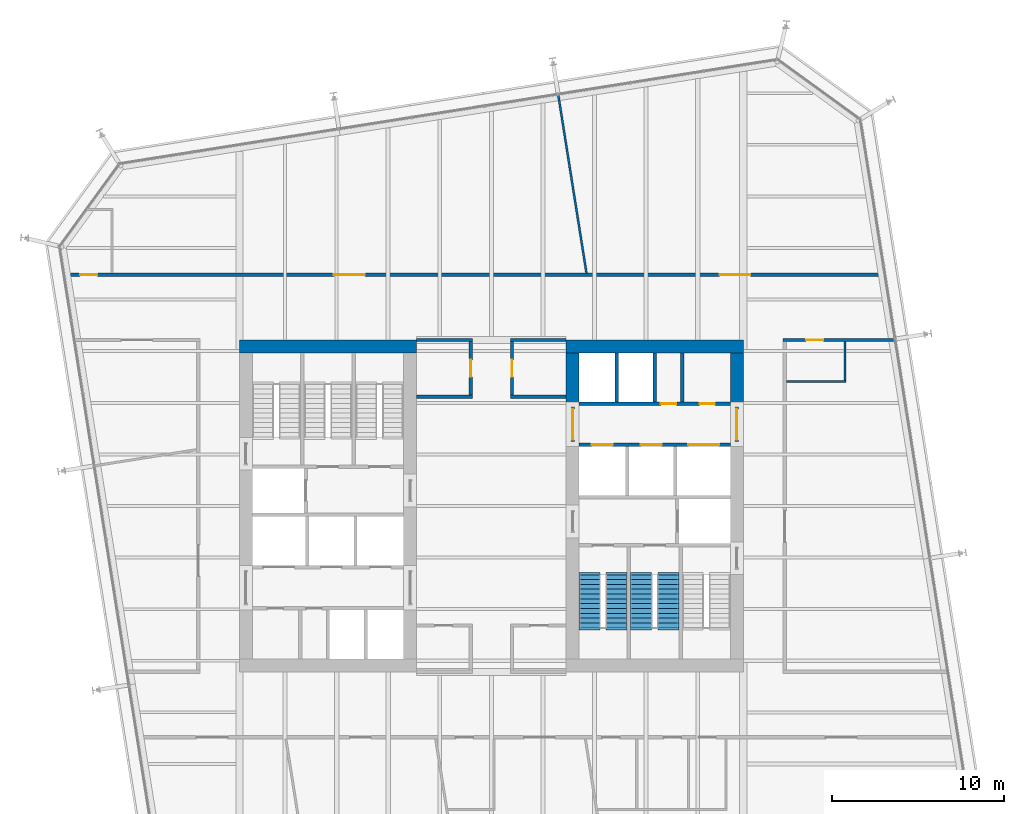
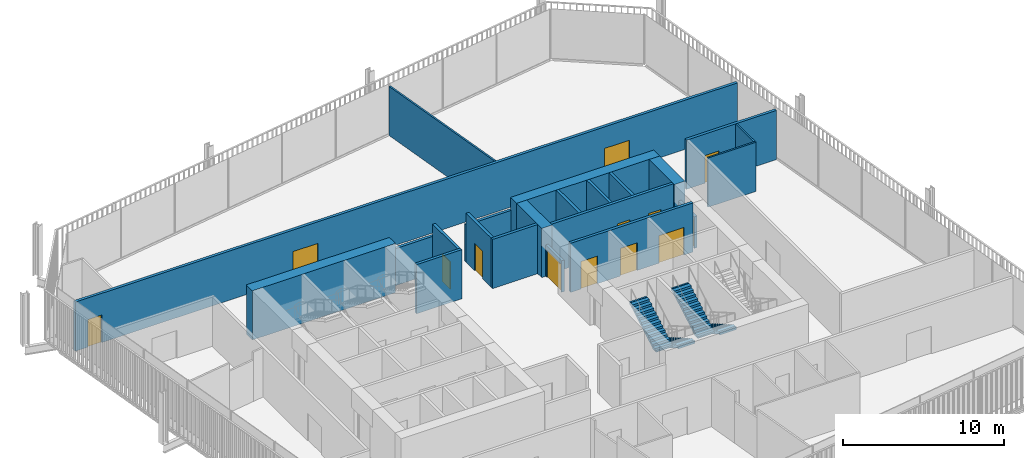
# One storey, part 19 of 21: 22 walls, 13 doors, 4 stair flights, 13 openings, 2 elements without a shape of their own.
"""IFC4 building model written with IfcOpenShell, lengths in metres."""

import ifcopenshell
import ifcopenshell.guid

model = None  # the IFC model being written
_history = None  # IfcOwnerHistory: only IFC2X3 demands one
_inside = {}  # id of a spatial element -> (the spatial element, [elements in it])
_under = {}  # id of a project, library or spatial element -> (it, [spatial elements below it])
_declared = {}  # id of a project -> (the project, [libraries it declares])
_typed = {}  # id of a type object -> (the type object, [elements of that type])
_made_of = {}  # id of a material, layer set ... -> (it, [elements and type objects made of it])


def new_model(schema):
    """Start an empty IFC model of exactly this schema.

    Asked for "IFC4X3", IfcOpenShell would pick the latest addendum, in which some entities
    have other attributes; the version numbers below select the first issue.
    IFC2X3 requires an IfcOwnerHistory on every rooted entity: one is made here for all.
    """
    global model, _history
    if schema == "IFC4X3":
        model = ifcopenshell.file(schema_version=(4, 3, 0, 0))
    else:
        model = ifcopenshell.file(schema=schema)
    _inside.clear()
    _under.clear()
    _declared.clear()
    _typed.clear()
    _made_of.clear()
    _history = None
    if model.schema == "IFC2X3":
        org = make("IfcOrganization", Name="unknown")
        user = make(
            "IfcPersonAndOrganization",
            ThePerson=make("IfcPerson", FamilyName="unknown"),
            TheOrganization=org,
        )
        app = make(
            "IfcApplication",
            ApplicationDeveloper=org,
            Version="unknown",
            ApplicationFullName="unknown",
            ApplicationIdentifier="unknown",
        )
        _history = make(
            "IfcOwnerHistory",
            OwningUser=user,
            OwningApplication=app,
            ChangeAction="ADDED",
            CreationDate=0,
        )
    return model


def make(cls, **values):
    """One entity of the class cls with the attributes given. An attribute that is None is left unset."""
    return model.create_entity(
        cls, **{name: value for name, value in values.items() if value is not None}
    )


def rooted(cls, **values):
    """An entity with a GlobalId (a new one), such as an element, a storey or a relation."""
    return make(cls, GlobalId=ifcopenshell.guid.new(), OwnerHistory=_history, **values)


def si_unit(unit_type, name, prefix=None):
    """IfcSIUnit, for example si_unit("LENGTHUNIT", "METRE", prefix="MILLI")."""
    return make("IfcSIUnit", UnitType=unit_type, Prefix=prefix, Name=name)


def assignment(units):
    """IfcUnitAssignment: the units of a project."""
    return None if units is None else make("IfcUnitAssignment", Units=units)


def point(xyz):
    """IfcCartesianPoint."""
    return None if xyz is None else make("IfcCartesianPoint", Coordinates=xyz)


def direction(xyz):
    """IfcDirection."""
    return None if xyz is None else make("IfcDirection", DirectionRatios=xyz)


def frame(location, z_axis=None, x_axis=None):
    """IfcAxis2Placement3D, a coordinate frame: its origin and axes. An axis left out is left unset."""
    return make(
        "IfcAxis2Placement3D",
        Location=point(location),
        Axis=direction(z_axis),
        RefDirection=direction(x_axis),
    )


def frame_2d(location, x_axis=None):
    """IfcAxis2Placement2D, a coordinate frame in the plane: its origin and x axis."""
    return make(
        "IfcAxis2Placement2D", Location=point(location), RefDirection=direction(x_axis)
    )


def origin():
    """The frame at (0, 0, 0) with its axes left unset."""
    return frame((0.0, 0.0, 0.0))


def place(relative_to, where):
    """IfcLocalPlacement: puts the frame where relative to a parent placement (None: the world)."""
    return make(
        "IfcLocalPlacement", PlacementRelTo=relative_to, RelativePlacement=where
    )


def context(
    kind, dimensions, precision=None, world=None, true_north=None, identifier=None
):
    """IfcGeometricRepresentationContext, for example the 3D "Model" context."""
    return make(
        "IfcGeometricRepresentationContext",
        ContextIdentifier=identifier,
        ContextType=kind,
        CoordinateSpaceDimension=dimensions,
        Precision=precision,
        WorldCoordinateSystem=world,
        TrueNorth=true_north,
    )


def subcontext(parent, identifier, kind, view, scale=None):
    """IfcGeometricRepresentationSubContext, for example "Body" below "Model"."""
    return make(
        "IfcGeometricRepresentationSubContext",
        ContextIdentifier=identifier,
        ContextType=kind,
        ParentContext=parent,
        TargetScale=scale,
        TargetView=view,
    )


def project(units=None, contexts=None):
    """IfcProject with its units and contexts."""
    return rooted(
        "IfcProject",
        Name="project",
        RepresentationContexts=contexts,
        UnitsInContext=assignment(units),
    )


def spatial(cls, under=None, at=None, **own):
    """A site, building, storey or space (cls), placed at a placement, below another one or the project."""
    s = rooted(cls, ObjectPlacement=at, **own)
    if under is not None:
        _under.setdefault(under.id(), (under, []))[1].append(s)
    return s


def polyline(points):
    """IfcPolyline through the points."""
    return make("IfcPolyline", Points=[point(p) for p in points])


def profile(cls, at=None, kind="AREA", **sizes):
    """A parametric profile (cls). Its sizes go by their IFC names, for example OverallWidth=200.0."""
    return make(cls, ProfileType=kind, Position=at, **sizes)


def rectangle(**sizes):
    """IfcRectangleProfileDef."""
    return profile("IfcRectangleProfileDef", **sizes)


def outline(outer, holes=None, kind="AREA"):
    """IfcArbitraryClosedProfileDef: a profile drawn as a closed curve; with holes, ...WithVoids."""
    if holes is None:
        return make("IfcArbitraryClosedProfileDef", ProfileType=kind, OuterCurve=outer)
    return make(
        "IfcArbitraryProfileDefWithVoids",
        ProfileType=kind,
        OuterCurve=outer,
        InnerCurves=holes,
    )


def extrude(swept, where, along, depth):
    """IfcExtrudedAreaSolid: the profile swept, set in the frame where, extruded along a direction by depth."""
    return make(
        "IfcExtrudedAreaSolid",
        SweptArea=swept,
        Position=where,
        ExtrudedDirection=direction(along),
        Depth=depth,
    )


def shape(context_of_items, identifier, shape_type, items):
    """IfcShapeRepresentation: the items that make up one representation, for example the "Body"."""
    return make(
        "IfcShapeRepresentation",
        ContextOfItems=context_of_items,
        RepresentationIdentifier=identifier,
        RepresentationType=shape_type,
        Items=items,
    )


def material(Name=None, Category=None):
    """IfcMaterial."""
    return make("IfcMaterial", Name=Name, Category=Category)


def layer(
    of_material, thickness, ventilated=None, Name=None, Category=None, Priority=None
):
    """IfcMaterialLayer: one layer of a wall or slab, of a material (None: an air gap)."""
    return make(
        "IfcMaterialLayer",
        Material=of_material,
        LayerThickness=thickness,
        IsVentilated=ventilated,
        Name=Name,
        Category=Category,
        Priority=Priority,
    )


def layer_set(layers, Name=None):
    """IfcMaterialLayerSet."""
    return make("IfcMaterialLayerSet", MaterialLayers=layers, LayerSetName=Name)


def made_of(thing, what):
    """Note that an element or type object is made of a material, layer set ...; save() writes the relation."""
    if what is not None:
        _made_of.setdefault(what.id(), (what, []))[1].append(thing)
    return thing


def type_object(cls, material=None, **own):
    """A type object (cls), such as IfcWallType, which elements share."""
    return made_of(rooted(cls, **own), material)


def element(
    cls,
    number,
    at=None,
    inside=None,
    cuts=None,
    type_object=None,
    material=None,
    context=None,
    identifier="Body",
    shape_type=None,
    held_by="IfcProductDefinitionShape",
    body=None,
    shapes=None,
    **own,
):
    """One element of the class cls, such as IfcWall. Its Tag is "e" and its number.

    at: its placement. inside: the storey or other place that contains it. cuts: it is an
    opening in that element (IfcRelVoidsElement). A single representation is given by context,
    identifier, shape_type and body (its items); several are given by shapes. held_by: the class
    of the entity that holds the representations. save() writes the other relations.
    """
    e = rooted(cls, Tag="e%d" % number, ObjectPlacement=at, **own)
    if body is not None:
        shapes = [shape(context, identifier, shape_type, body)]
    if shapes is not None:
        e.Representation = make(held_by, Representations=shapes)
    if inside is not None:
        _inside.setdefault(inside.id(), (inside, []))[1].append(e)
    if cuts is not None:
        rooted(
            "IfcRelVoidsElement", RelatingBuildingElement=cuts, RelatedOpeningElement=e
        )
    if type_object is not None:
        _typed.setdefault(type_object.id(), (type_object, []))[1].append(e)
    return made_of(e, material)


def fill(opening, filler):
    """IfcRelFillsElement: the door or window that sits in an opening."""
    return rooted(
        "IfcRelFillsElement",
        RelatingOpeningElement=opening,
        RelatedBuildingElement=filler,
    )


def aggregate(whole, parts):
    """IfcRelAggregates: a whole, such as a stair, and the parts it consists of."""
    return rooted("IfcRelAggregates", RelatingObject=whole, RelatedObjects=parts)


def save(model, path):
    """Write the relations noted so far, then the file.

    IfcRelAggregates (storeys below a building ...), IfcRelContainedInSpatialStructure (elements
    in a storey), IfcRelDefinesByType, IfcRelAssociatesMaterial and IfcRelDeclares: one each for
    every whole, place, type object, material and project.
    """
    for whole, parts in _under.values():
        aggregate(whole, parts)
    for where, things in _inside.values():
        rooted(
            "IfcRelContainedInSpatialStructure",
            RelatedElements=things,
            RelatingStructure=where,
        )
    for kind, things in _typed.values():
        rooted("IfcRelDefinesByType", RelatedObjects=things, RelatingType=kind)
    for what, things in _made_of.values():
        rooted("IfcRelAssociatesMaterial", RelatedObjects=things, RelatingMaterial=what)
    for by, libraries in _declared.values():
        rooted("IfcRelDeclares", RelatingContext=by, RelatedDefinitions=libraries)
    model.write(path)


model = new_model("IFC4")

# Units and contexts
model_context = context("Model", 3, precision=1e-05, world=origin(), true_north=direction((0.0, 1.0)))
body_context = subcontext(model_context, "Body", "Model", "MODEL_VIEW")
ifc_project = project(units=[si_unit("LENGTHUNIT", "METRE"), si_unit("AREAUNIT", "SQUARE_METRE"), si_unit("VOLUMEUNIT", "CUBIC_METRE"), si_unit("PLANEANGLEUNIT", "RADIAN"), si_unit("MASSUNIT", "GRAM", prefix="KILO")], contexts=[model_context])

# Site, building, storey
site_placement = place(None, origin())
site = spatial("IfcSite", under=ifc_project, at=site_placement, CompositionType="ELEMENT")
building_placement = place(site_placement, origin())
building = spatial("IfcBuilding", under=site, at=building_placement, Name="Millrace Tower", CompositionType="ELEMENT")
storey_placement = place(building_placement, frame((0.0, 0.0, 141.199951171875)))
storey = spatial("IfcBuildingStorey", under=building, at=storey_placement, Name="L31", CompositionType="ELEMENT", Elevation=141.199951171875)

# Walls
ifc_material_1 = material(Name="Concrete C70", Category="concrete")
ifc_layer_1 = layer(ifc_material_1, 0.75)
ifc_layer_set_1 = layer_set([ifc_layer_1], Name="Concrete C70")
wall_type_1 = type_object("IfcWallType", Name="Core wall 750 Concrete C70", PredefinedType="SHEAR", material=ifc_layer_set_1)
for number, where, z_axis, x_axis, name in (
    (1, (-14.64990234375, 9.27490234375, 0.0), (0.0, 0.0, 1.0), (1.0, 0.0, 0.0), "Core wall W L31"),
    (2, (14.64990234375, 9.27490234375, 0.0), (0.0, 0.0, 1.0), (-1.0, 0.0, 0.0), "Core wall E L31"),
):
    element("IfcWall", number, at=place(storey_placement, frame(where, z_axis=z_axis, x_axis=x_axis)), inside=storey, type_object=wall_type_1, Name=name, PredefinedType="SHEAR", context=body_context, shape_type="SweptSolid", body=[
        extrude(rectangle(XDim=10.2998046875, YDim=0.75, at=frame_2d((5.14990234375, 0.0))), origin(), (0.0, 0.0, 1.0), 3.739990234375),
    ])
for number, where, z_axis, x_axis, name in (
    (3, (14.27490234375, 8.89990234375, 0.0), (0.0, 0.0, 1.0), (0.0, -1.0, 0.0), "Core wall E L31"),
    (4, (4.72509765625, 8.89990234375, 0.0), (0.0, 0.0, 1.0), (0.0, -1.0, 0.0), "Core wall E L31"),
):
    element("IfcWall", number, at=place(storey_placement, frame(where, z_axis=z_axis, x_axis=x_axis)), inside=storey, type_object=wall_type_1, Name=name, PredefinedType="SHEAR", context=body_context, shape_type="SweptSolid", body=[
        extrude(rectangle(XDim=3.14990234375, YDim=0.75, at=frame_2d((1.574951171875, 0.0))), origin(), (0.0, 0.0, 1.0), 3.739990234375),
    ])
ifc_material_2 = material(Name="Masonry partition, fire-rated", Category="masonry")
ifc_layer_2 = layer(ifc_material_2, 0.199951171875)
ifc_layer_set_2 = layer_set([ifc_layer_2], Name="Masonry partition, fire-rated")
wall_type_2 = type_object("IfcWallType", Name="Corridor wall 200", PredefinedType="PARTITIONING", material=ifc_layer_set_2)
for number, where, z_axis, x_axis, name in (
    (5, (-4.35009765625, 6.35009765625, 0.0), (0.0, 0.0, 1.0), (1.0, 0.0, 0.0), "Corridor wall L31"),
    (6, (1.10009765625, 6.35009765625, 0.0), (0.0, 0.0, 1.0), (1.0, 0.0, 0.0), "Corridor wall L31"),
):
    element("IfcWall", number, at=place(storey_placement, frame(where, z_axis=z_axis, x_axis=x_axis)), inside=storey, type_object=wall_type_2, Name=name, PredefinedType="PARTITIONING", context=body_context, shape_type="SweptSolid", body=[
        extrude(rectangle(XDim=3.25, YDim=0.199951171875, at=frame_2d((1.625, 0.0))), origin(), (0.0, 0.0, 1.0), 3.739990234375),
    ])
for number, where, z_axis, x_axis, name in (
    (7, (-4.35009765625, 9.64990234375, 0.0), (0.0, 0.0, 1.0), (1.0, 0.0, 0.0), "Corridor wall L31"),
    (8, (1.10009765625, 9.64990234375, 0.0), (0.0, 0.0, 1.0), (1.0, 0.0, 0.0), "Corridor wall L31"),
):
    element("IfcWall", number, at=place(storey_placement, frame(where, z_axis=z_axis, x_axis=x_axis)), inside=storey, type_object=wall_type_2, Name=name, PredefinedType="PARTITIONING", context=body_context, shape_type="SweptSolid", body=[
        extrude(rectangle(XDim=3.25, YDim=0.199951171875, at=frame_2d((1.625, 0.0))), origin(), (0.0, 0.0, 1.0), 2.81298828125),
    ])

# Wall, opening, door
wall_1_placement = place(storey_placement, frame((16.949951171875, 9.64990234375, 0.0), z_axis=(0.0, 0.0, 1.0), x_axis=(1.0, 0.0, 0.0)))
wall_1 = element("IfcWall", 9, at=wall_1_placement, inside=storey, type_object=wall_type_2, Name="Corridor wall L31", PredefinedType="PARTITIONING", context=body_context, shape_type="SweptSolid", body=[
    extrude(rectangle(XDim=6.489501953125, YDim=0.199951171875, at=frame_2d((3.24462890625, 0.0))), origin(), (0.0, 0.0, 1.0), 3.739990234375),
])
opening_1_placement = place(wall_1_placement, frame((1.35009765625, 0.0, 0.0)))
opening_1 = element("IfcOpeningElement", 10, at=opening_1_placement, cuts=wall_1, Name="Opening 31-P009", PredefinedType="OPENING", context=body_context, shape_type="SweptSolid", body=[
    extrude(rectangle(XDim=1.0, YDim=2.10009765625, at=frame_2d((0.5, 1.050048828125))), frame((0.0, 0.10986328125, 0.0), z_axis=(0.0, -1.0, 0.0), x_axis=(1.0, 0.0, 0.0)), (0.0, 0.0, 1.0), 0.219970703125),
])
ifc_material_3 = material(Name="Steel door set, fire-rated", Category="steel")
door_type_1 = type_object("IfcDoorType", Name="Corridor door 1000 x 2100", OperationType="SINGLE_SWING_LEFT", PredefinedType="DOOR", material=ifc_material_3)
door_1_placement = place(opening_1_placement, frame((1.0, 0.0, 0.0), z_axis=(0.0, 0.0, 1.0), x_axis=(-1.0, 0.0, 0.0)))
door_1 = element("IfcDoor", 11, at=door_1_placement, inside=storey, type_object=door_type_1, Name="Door 31-P009", OperationType="SINGLE_SWING_RIGHT", OverallHeight=2.10009765625, OverallWidth=1.0, PredefinedType="DOOR", context=body_context, shape_type="SweptSolid", body=[
    extrude(rectangle(XDim=1.0, YDim=2.10009765625, at=frame_2d((0.5, 1.050048828125))), frame((0.0, 0.02490234375, 0.0), z_axis=(0.0, -1.0, 0.0), x_axis=(1.0, 0.0, 0.0)), (0.0, 0.0, 1.0), 0.050048828125),
])
fill(opening_1, door_1)

# Wall, openings, doors
wall_2_placement = place(storey_placement, frame((-24.80908203125, 13.449951171875, 0.0), z_axis=(0.0, 0.0, 1.0), x_axis=(1.0, 0.0, 0.0)))
wall_2 = element("IfcWall", 12, at=wall_2_placement, inside=storey, type_object=wall_type_2, Name="Corridor wall L31", PredefinedType="PARTITIONING", context=body_context, shape_type="SweptSolid", body=[
    extrude(rectangle(XDim=47.646728515625, YDim=0.199951171875, at=frame_2d((23.8232421875, 0.0))), origin(), (0.0, 0.0, 1.0), 3.739990234375),
])
opening_2_placement = place(wall_2_placement, frame((15.652587890625, 0.0, 0.0)))
opening_2 = element("IfcOpeningElement", 13, at=opening_2_placement, cuts=wall_2, Name="Opening 31-P005", PredefinedType="OPENING", context=body_context, shape_type="SweptSolid", body=[
    extrude(rectangle(XDim=1.800048828125, YDim=2.10009765625, at=frame_2d((0.89990234375, 1.050048828125))), frame((0.0, 0.10986328125, 0.0), z_axis=(0.0, -1.0, 0.0), x_axis=(1.0, 0.0, 0.0)), (0.0, 0.0, 1.0), 0.219970703125),
])
opening_3_placement = place(wall_2_placement, frame((0.901123046875, 0.0, 0.0)))
opening_3 = element("IfcOpeningElement", 14, at=opening_3_placement, cuts=wall_2, Name="Opening 31-P006", PredefinedType="OPENING", context=body_context, shape_type="SweptSolid", body=[
    extrude(rectangle(XDim=1.0, YDim=2.10009765625, at=frame_2d((0.5, 1.050048828125))), frame((0.0, 0.10986328125, 0.0), z_axis=(0.0, -1.0, 0.0), x_axis=(1.0, 0.0, 0.0)), (0.0, 0.0, 1.0), 0.219970703125),
])
opening_4_placement = place(wall_2_placement, frame((38.074951171875, 0.0, 0.0)))
opening_4 = element("IfcOpeningElement", 15, at=opening_4_placement, cuts=wall_2, Name="Opening 31-P007", PredefinedType="OPENING", context=body_context, shape_type="SweptSolid", body=[
    extrude(rectangle(XDim=1.800048828125, YDim=2.10009765625, at=frame_2d((0.89990234375, 1.050048828125))), frame((0.0, 0.10986328125, 0.0), z_axis=(0.0, -1.0, 0.0), x_axis=(1.0, 0.0, 0.0)), (0.0, 0.0, 1.0), 0.219970703125),
])
door_2_placement = place(opening_3_placement, origin())
door_2 = element("IfcDoor", 16, at=door_2_placement, inside=storey, type_object=door_type_1, Name="Door 31-P006", OperationType="SINGLE_SWING_LEFT", OverallHeight=2.10009765625, OverallWidth=1.0, PredefinedType="DOOR", context=body_context, shape_type="SweptSolid", body=[
    extrude(rectangle(XDim=1.0, YDim=2.10009765625, at=frame_2d((0.5, 1.050048828125))), frame((0.0, 0.02490234375, 0.0), z_axis=(0.0, -1.0, 0.0), x_axis=(1.0, 0.0, 0.0)), (0.0, 0.0, 1.0), 0.050048828125),
])
fill(opening_3, door_2)
ifc_material_4 = material(Name="Steel door set, fire-rated", Category="steel")
door_type_2 = type_object("IfcDoorType", Name="Corridor door 1800 x 2100", OperationType="DOUBLE_DOOR_SINGLE_SWING", PredefinedType="DOOR", material=ifc_material_4)
door_3_placement = place(opening_2_placement, frame((1.800048828125, 0.0, 0.0), z_axis=(0.0, 0.0, 1.0), x_axis=(-1.0, 0.0, 0.0)))
door_3 = element("IfcDoor", 17, at=door_3_placement, inside=storey, type_object=door_type_2, Name="Door 31-P005", OperationType="DOUBLE_DOOR_SINGLE_SWING", OverallHeight=2.10009765625, OverallWidth=1.800048828125, PredefinedType="DOOR", context=body_context, shape_type="SweptSolid", body=[
    extrude(rectangle(XDim=1.800048828125, YDim=2.10009765625, at=frame_2d((0.89990234375, 1.050048828125))), frame((0.0, 0.02490234375, 0.0), z_axis=(0.0, -1.0, 0.0), x_axis=(1.0, 0.0, 0.0)), (0.0, 0.0, 1.0), 0.050048828125),
])
fill(opening_2, door_3)
door_4_placement = place(opening_4_placement, frame((1.800048828125, 0.0, 0.0), z_axis=(0.0, 0.0, 1.0), x_axis=(-1.0, 0.0, 0.0)))
door_4 = element("IfcDoor", 18, at=door_4_placement, inside=storey, type_object=door_type_2, Name="Door 31-P007", OperationType="DOUBLE_DOOR_SINGLE_SWING", OverallHeight=2.10009765625, OverallWidth=1.800048828125, PredefinedType="DOOR", context=body_context, shape_type="SweptSolid", body=[
    extrude(rectangle(XDim=1.800048828125, YDim=2.10009765625, at=frame_2d((0.89990234375, 1.050048828125))), frame((0.0, 0.02490234375, 0.0), z_axis=(0.0, -1.0, 0.0), x_axis=(1.0, 0.0, 0.0)), (0.0, 0.0, 1.0), 0.050048828125),
])
fill(opening_4, door_4)

# Wall, opening, door
wall_3_placement = place(storey_placement, frame((1.199951171875, 6.449951171875, 0.0), z_axis=(0.0, 0.0, 1.0), x_axis=(0.0, 1.0, 0.0)))
wall_3 = element("IfcWall", 19, at=wall_3_placement, inside=storey, type_object=wall_type_2, Name="Corridor wall L31", PredefinedType="PARTITIONING", context=body_context, shape_type="SweptSolid", body=[
    extrude(rectangle(XDim=3.10009765625, YDim=0.199951171875, at=frame_2d((1.550048828125, 0.0))), origin(), (0.0, 0.0, 1.0), 3.739990234375),
])
opening_5_placement = place(wall_3_placement, frame((1.050048828125, 0.0, 0.0)))
opening_5 = element("IfcOpeningElement", 20, at=opening_5_placement, cuts=wall_3, Name="Opening 31-P002", PredefinedType="OPENING", context=body_context, shape_type="SweptSolid", body=[
    extrude(rectangle(XDim=1.0, YDim=2.10009765625, at=frame_2d((0.5, 1.050048828125))), frame((0.0, 0.10986328125, 0.0), z_axis=(0.0, -1.0, 0.0), x_axis=(1.0, 0.0, 0.0)), (0.0, 0.0, 1.0), 0.219970703125),
])
door_5_placement = place(opening_5_placement, frame((1.0, 0.0, 0.0), z_axis=(0.0, 0.0, 1.0), x_axis=(-1.0, 0.0, 0.0)))
door_5 = element("IfcDoor", 21, at=door_5_placement, inside=storey, type_object=door_type_1, Name="Door 31-P002", OperationType="SINGLE_SWING_LEFT", OverallHeight=2.10009765625, OverallWidth=1.0, PredefinedType="DOOR", context=body_context, shape_type="SweptSolid", body=[
    extrude(rectangle(XDim=1.0, YDim=2.10009765625, at=frame_2d((0.5, 1.050048828125))), frame((0.0, 0.02490234375, 0.0), z_axis=(0.0, -1.0, 0.0), x_axis=(1.0, 0.0, 0.0)), (0.0, 0.0, 1.0), 0.050048828125),
])
fill(opening_5, door_5)

wall_4_placement = place(storey_placement, frame((-1.199951171875, 6.449951171875, 0.0), z_axis=(0.0, 0.0, 1.0), x_axis=(0.0, 1.0, 0.0)))
wall_4 = element("IfcWall", 22, at=wall_4_placement, inside=storey, type_object=wall_type_2, Name="Corridor wall L31", PredefinedType="PARTITIONING", context=body_context, shape_type="SweptSolid", body=[
    extrude(rectangle(XDim=3.10009765625, YDim=0.199951171875, at=frame_2d((1.550048828125, 0.0))), origin(), (0.0, 0.0, 1.0), 3.739990234375),
])
opening_6_placement = place(wall_4_placement, frame((1.050048828125, 0.0, 0.0)))
opening_6 = element("IfcOpeningElement", 23, at=opening_6_placement, cuts=wall_4, Name="Opening 31-P001", PredefinedType="OPENING", context=body_context, shape_type="SweptSolid", body=[
    extrude(rectangle(XDim=1.0, YDim=2.10009765625, at=frame_2d((0.5, 1.050048828125))), frame((0.0, 0.10986328125, 0.0), z_axis=(0.0, -1.0, 0.0), x_axis=(1.0, 0.0, 0.0)), (0.0, 0.0, 1.0), 0.219970703125),
])
door_6_placement = place(opening_6_placement, origin())
door_6 = element("IfcDoor", 24, at=door_6_placement, inside=storey, type_object=door_type_1, Name="Door 31-P001", OperationType="SINGLE_SWING_RIGHT", OverallHeight=2.10009765625, OverallWidth=1.0, PredefinedType="DOOR", context=body_context, shape_type="SweptSolid", body=[
    extrude(rectangle(XDim=1.0, YDim=2.10009765625, at=frame_2d((0.5, 1.050048828125))), frame((0.0, 0.02490234375, 0.0), z_axis=(0.0, -1.0, 0.0), x_axis=(1.0, 0.0, 0.0)), (0.0, 0.0, 1.0), 0.050048828125),
])
fill(opening_6, door_6)

# Wall, openings, doors
ifc_material_5 = material(Name="Masonry partition, fire-rated", Category="masonry")
ifc_layer_3 = layer(ifc_material_5, 0.199951171875)
ifc_layer_set_3 = layer_set([ifc_layer_3], Name="Masonry partition, fire-rated")
wall_type_3 = type_object("IfcWallType", Name="Lift shaft wall 200", PredefinedType="PARTITIONING", material=ifc_layer_set_3)
wall_5_placement = place(storey_placement, frame((13.89990234375, 5.949951171875, 0.0), z_axis=(0.0, 0.0, 1.0), x_axis=(-1.0, 0.0, 0.0)))
wall_5 = element("IfcWall", 25, at=wall_5_placement, inside=storey, type_object=wall_type_3, Name="Lift shaft wall E L31", PredefinedType="PARTITIONING", context=body_context, shape_type="SweptSolid", body=[
    extrude(rectangle(XDim=8.7998046875, YDim=0.199951171875, at=frame_2d((4.39990234375, 0.0))), origin(), (0.0, 0.0, 1.0), 3.739990234375),
])
opening_7_placement = place(wall_5_placement, frame((0.8974609375, 0.0, 0.0)))
opening_7 = element("IfcOpeningElement", 26, at=opening_7_placement, cuts=wall_5, Name="Opening 31-C013", PredefinedType="OPENING", context=body_context, shape_type="SweptSolid", body=[
    extrude(rectangle(XDim=0.89990234375, YDim=2.10009765625, at=frame_2d((0.449951171875, 1.050048828125))), frame((0.0, 0.10986328125, 0.0), z_axis=(0.0, -1.0, 0.0), x_axis=(1.0, 0.0, 0.0)), (0.0, 0.0, 1.0), 0.219970703125),
])
opening_8_placement = place(wall_5_placement, frame((3.1474609375, 0.0, 0.0)))
opening_8 = element("IfcOpeningElement", 27, at=opening_8_placement, cuts=wall_5, Name="Opening 31-C014", PredefinedType="OPENING", context=body_context, shape_type="SweptSolid", body=[
    extrude(rectangle(XDim=0.89990234375, YDim=2.10009765625, at=frame_2d((0.449951171875, 1.050048828125))), frame((0.0, 0.10986328125, 0.0), z_axis=(0.0, -1.0, 0.0), x_axis=(1.0, 0.0, 0.0)), (0.0, 0.0, 1.0), 0.219970703125),
])
ifc_material_6 = material(Name="Steel door, fire-rated", Category="steel")
door_type_3 = type_object("IfcDoorType", Name="Service room door 900 x 2100", OperationType="SINGLE_SWING_LEFT", PredefinedType="DOOR", material=ifc_material_6)
door_7_placement = place(opening_7_placement, frame((0.89990234375, 0.0, 0.0), z_axis=(0.0, 0.0, 1.0), x_axis=(-1.0, 0.0, 0.0)))
door_7 = element("IfcDoor", 28, at=door_7_placement, inside=storey, type_object=door_type_3, Name="Service room door 31-C013", OperationType="SINGLE_SWING_RIGHT", OverallHeight=2.10009765625, OverallWidth=0.89990234375, PredefinedType="DOOR", context=body_context, shape_type="SweptSolid", body=[
    extrude(rectangle(XDim=0.89990234375, YDim=2.10009765625, at=frame_2d((0.449951171875, 1.050048828125))), frame((0.0, 0.02490234375, 0.0), z_axis=(0.0, -1.0, 0.0), x_axis=(1.0, 0.0, 0.0)), (0.0, 0.0, 1.0), 0.050048828125),
])
fill(opening_7, door_7)
door_8_placement = place(opening_8_placement, frame((0.89990234375, 0.0, 0.0), z_axis=(0.0, 0.0, 1.0), x_axis=(-1.0, 0.0, 0.0)))
door_8 = element("IfcDoor", 29, at=door_8_placement, inside=storey, type_object=door_type_3, Name="Service room door 31-C014", OperationType="SINGLE_SWING_RIGHT", OverallHeight=2.10009765625, OverallWidth=0.89990234375, PredefinedType="DOOR", context=body_context, shape_type="SweptSolid", body=[
    extrude(rectangle(XDim=0.89990234375, YDim=2.10009765625, at=frame_2d((0.449951171875, 1.050048828125))), frame((0.0, 0.02490234375, 0.0), z_axis=(0.0, -1.0, 0.0), x_axis=(1.0, 0.0, 0.0)), (0.0, 0.0, 1.0), 0.050048828125),
])
fill(opening_8, door_8)

wall_6_placement = place(storey_placement, frame((13.89990234375, 3.550048828125, 0.0), z_axis=(0.0, 0.0, 1.0), x_axis=(-1.0, 0.0, 0.0)))
wall_6 = element("IfcWall", 30, at=wall_6_placement, inside=storey, type_object=wall_type_3, Name="Lift shaft wall E L31", PredefinedType="PARTITIONING", context=body_context, shape_type="SweptSolid", body=[
    extrude(rectangle(XDim=8.7998046875, YDim=0.199951171875, at=frame_2d((4.39990234375, 0.0))), origin(), (0.0, 0.0, 1.0), 3.739990234375),
])
opening_9_placement = place(wall_6_placement, frame((0.64990234375, 0.0, 0.0)))
opening_9 = element("IfcOpeningElement", 31, at=opening_9_placement, cuts=wall_6, Name="Opening 31-LD13", PredefinedType="OPENING", context=body_context, shape_type="SweptSolid", body=[
    extrude(rectangle(XDim=1.800048828125, YDim=2.10009765625, at=frame_2d((0.89990234375, 1.050048828125))), frame((0.0, 0.10986328125, 0.0), z_axis=(0.0, -1.0, 0.0), x_axis=(1.0, 0.0, 0.0)), (0.0, 0.0, 1.0), 0.219970703125),
])
opening_10_placement = place(wall_6_placement, frame((4.0, 0.0, 0.0)))
opening_10 = element("IfcOpeningElement", 32, at=opening_10_placement, cuts=wall_6, Name="Opening 31-LD14", PredefinedType="OPENING", context=body_context, shape_type="SweptSolid", body=[
    extrude(rectangle(XDim=1.199951171875, YDim=2.10009765625, at=frame_2d((0.60009765625, 1.050048828125))), frame((0.0, 0.10986328125, 0.0), z_axis=(0.0, -1.0, 0.0), x_axis=(1.0, 0.0, 0.0)), (0.0, 0.0, 1.0), 0.219970703125),
])
opening_11_placement = place(wall_6_placement, frame((6.85009765625, 0.0, 0.0)))
opening_11 = element("IfcOpeningElement", 33, at=opening_11_placement, cuts=wall_6, Name="Opening 31-LD15", PredefinedType="OPENING", context=body_context, shape_type="SweptSolid", body=[
    extrude(rectangle(XDim=1.199951171875, YDim=2.10009765625, at=frame_2d((0.60009765625, 1.050048828125))), frame((0.0, 0.10986328125, 0.0), z_axis=(0.0, -1.0, 0.0), x_axis=(1.0, 0.0, 0.0)), (0.0, 0.0, 1.0), 0.219970703125),
])
ifc_material_7 = material(Name="Stainless steel, fire-rated", Category="steel")
door_type_4 = type_object("IfcDoorType", Name="Lift landing door 1200 x 2100", OperationType="DOUBLE_DOOR_SLIDING", PredefinedType="DOOR", material=ifc_material_7)
door_9_placement = place(opening_10_placement, origin())
door_9 = element("IfcDoor", 34, at=door_9_placement, inside=storey, type_object=door_type_4, Name="Lift landing door LF14 L31", OperationType="DOUBLE_DOOR_SLIDING", OverallHeight=2.10009765625, OverallWidth=1.199951171875, PredefinedType="DOOR", context=body_context, shape_type="SweptSolid", body=[
    extrude(rectangle(XDim=1.199951171875, YDim=2.10009765625, at=frame_2d((0.60009765625, 1.050048828125))), frame((0.0, 0.02490234375, 0.0), z_axis=(0.0, -1.0, 0.0), x_axis=(1.0, 0.0, 0.0)), (0.0, 0.0, 1.0), 0.050048828125),
])
fill(opening_10, door_9)
door_10_placement = place(opening_11_placement, origin())
door_10 = element("IfcDoor", 35, at=door_10_placement, inside=storey, type_object=door_type_4, Name="Lift landing door LF15 L31", OperationType="DOUBLE_DOOR_SLIDING", OverallHeight=2.10009765625, OverallWidth=1.199951171875, PredefinedType="DOOR", context=body_context, shape_type="SweptSolid", body=[
    extrude(rectangle(XDim=1.199951171875, YDim=2.10009765625, at=frame_2d((0.60009765625, 1.050048828125))), frame((0.0, 0.02490234375, 0.0), z_axis=(0.0, -1.0, 0.0), x_axis=(1.0, 0.0, 0.0)), (0.0, 0.0, 1.0), 0.050048828125),
])
fill(opening_11, door_10)
ifc_material_8 = material(Name="Stainless steel, fire-rated", Category="steel")
door_type_5 = type_object("IfcDoorType", Name="Lift landing door 1800 x 2100", OperationType="DOUBLE_DOOR_SLIDING", PredefinedType="DOOR", material=ifc_material_8)
door_11_placement = place(opening_9_placement, origin())
door_11 = element("IfcDoor", 36, at=door_11_placement, inside=storey, type_object=door_type_5, Name="Lift landing door LF13 L31", OperationType="DOUBLE_DOOR_SLIDING", OverallHeight=2.10009765625, OverallWidth=1.800048828125, PredefinedType="DOOR", context=body_context, shape_type="SweptSolid", body=[
    extrude(rectangle(XDim=1.800048828125, YDim=2.10009765625, at=frame_2d((0.89990234375, 1.050048828125))), frame((0.0, 0.02490234375, 0.0), z_axis=(0.0, -1.0, 0.0), x_axis=(1.0, 0.0, 0.0)), (0.0, 0.0, 1.0), 0.050048828125),
])
fill(opening_9, door_11)

# Walls
for number, where, z_axis, x_axis, name in (
    (37, (9.5, 8.89990234375, 0.0), (0.0, 0.0, 1.0), (0.0, -1.0, 0.0), "Lift shaft wall E L31"),
    (38, (7.300048828125, 8.89990234375, 0.0), (0.0, 0.0, 1.0), (0.0, -1.0, 0.0), "Lift shaft wall E L31"),
):
    element("IfcWall", number, at=place(storey_placement, frame(where, z_axis=z_axis, x_axis=x_axis)), inside=storey, type_object=wall_type_3, Name=name, PredefinedType="PARTITIONING", context=body_context, shape_type="SweptSolid", body=[
        extrude(rectangle(XDim=2.849853515625, YDim=0.199951171875, at=frame_2d((1.4248046875, 0.0))), origin(), (0.0, 0.0, 1.0), 3.739990234375),
    ])

# Wall, opening, door
ifc_material_9 = material(Name="Masonry partition, fire-rated", Category="masonry")
ifc_layer_4 = layer(ifc_material_9, 0.199951171875)
ifc_layer_set_4 = layer_set([ifc_layer_4], Name="Masonry partition, fire-rated")
wall_type_4 = type_object("IfcWallType", Name="Lobby wall 200", PredefinedType="PARTITIONING", material=ifc_layer_set_4)
wall_7_placement = place(storey_placement, frame((14.27490234375, 5.75, 0.0), z_axis=(0.0, 0.0, 1.0), x_axis=(0.0, -1.0, 0.0)))
wall_7 = element("IfcWall", 39, at=wall_7_placement, inside=storey, type_object=wall_type_4, Name="Lobby wall E L31", PredefinedType="PARTITIONING", context=body_context, shape_type="SweptSolid", body=[
    extrude(rectangle(XDim=2.0, YDim=0.199951171875, at=frame_2d((1.0, 0.0))), origin(), (0.0, 0.0, 1.0), 2.400146484375),
])
opening_12_placement = place(wall_7_placement, frame((0.10009765625, 0.0, 0.0)))
opening_12 = element("IfcOpeningElement", 40, at=opening_12_placement, cuts=wall_7, Name="Opening 31-C009", PredefinedType="OPENING", context=body_context, shape_type="SweptSolid", body=[
    extrude(rectangle(XDim=1.800048828125, YDim=2.10009765625, at=frame_2d((0.89990234375, 1.050048828125))), frame((0.0, 0.10986328125, 0.0), z_axis=(0.0, -1.0, 0.0), x_axis=(1.0, 0.0, 0.0)), (0.0, 0.0, 1.0), 0.219970703125),
])
ifc_material_10 = material(Name="Steel door, fire-rated", Category="steel")
door_type_6 = type_object("IfcDoorType", Name="Lobby door 1800 x 2100", OperationType="DOUBLE_DOOR_SINGLE_SWING", PredefinedType="DOOR", material=ifc_material_10)
door_12_placement = place(opening_12_placement, origin())
door_12 = element("IfcDoor", 41, at=door_12_placement, inside=storey, type_object=door_type_6, Name="Lobby door 31-C009", OperationType="DOUBLE_DOOR_SINGLE_SWING", OverallHeight=2.10009765625, OverallWidth=1.800048828125, PredefinedType="DOOR", context=body_context, shape_type="SweptSolid", body=[
    extrude(rectangle(XDim=1.800048828125, YDim=2.10009765625, at=frame_2d((0.89990234375, 1.050048828125))), frame((0.0, 0.02490234375, 0.0), z_axis=(0.0, -1.0, 0.0), x_axis=(1.0, 0.0, 0.0)), (0.0, 0.0, 1.0), 0.050048828125),
])
fill(opening_12, door_12)

wall_8_placement = place(storey_placement, frame((4.72509765625, 5.75, 0.0), z_axis=(0.0, 0.0, 1.0), x_axis=(0.0, -1.0, 0.0)))
wall_8 = element("IfcWall", 42, at=wall_8_placement, inside=storey, type_object=wall_type_4, Name="Lobby wall E L31", PredefinedType="PARTITIONING", context=body_context, shape_type="SweptSolid", body=[
    extrude(rectangle(XDim=2.0, YDim=0.199951171875, at=frame_2d((1.0, 0.0))), origin(), (0.0, 0.0, 1.0), 2.400146484375),
])
opening_13_placement = place(wall_8_placement, frame((0.10009765625, 0.0, 0.0)))
opening_13 = element("IfcOpeningElement", 43, at=opening_13_placement, cuts=wall_8, Name="Opening 31-C011", PredefinedType="OPENING", context=body_context, shape_type="SweptSolid", body=[
    extrude(rectangle(XDim=1.800048828125, YDim=2.10009765625, at=frame_2d((0.89990234375, 1.050048828125))), frame((0.0, 0.10986328125, 0.0), z_axis=(0.0, -1.0, 0.0), x_axis=(1.0, 0.0, 0.0)), (0.0, 0.0, 1.0), 0.219970703125),
])
door_13_placement = place(opening_13_placement, origin())
door_13 = element("IfcDoor", 44, at=door_13_placement, inside=storey, type_object=door_type_6, Name="Lobby door 31-C011", OperationType="DOUBLE_DOOR_SINGLE_SWING", OverallHeight=2.10009765625, OverallWidth=1.800048828125, PredefinedType="DOOR", context=body_context, shape_type="SweptSolid", body=[
    extrude(rectangle(XDim=1.800048828125, YDim=2.10009765625, at=frame_2d((0.89990234375, 1.050048828125))), frame((0.0, 0.02490234375, 0.0), z_axis=(0.0, -1.0, 0.0), x_axis=(1.0, 0.0, 0.0)), (0.0, 0.0, 1.0), 0.050048828125),
])
fill(opening_13, door_13)

# Walls
ifc_material_11 = material(Name="Gypsum board partition")
ifc_layer_5 = layer(ifc_material_11, 0.1201171875)
ifc_layer_set_5 = layer_set([ifc_layer_5], Name="Gypsum board partition")
wall_type_5 = type_object("IfcWallType", Name="Partition wall 120", PredefinedType="PARTITIONING", material=ifc_layer_set_5)
wall_9_placement = place(storey_placement, frame((3.89013671875, 23.8994140625, 0.0), z_axis=(0.0, 0.0, 1.0), x_axis=(0.156414767056, -0.987691460248, 0.0)))
element("IfcWall", 45, at=wall_9_placement, inside=storey, type_object=wall_type_5, Name="Partition wall L31", PredefinedType="PARTITIONING", context=body_context, shape_type="SweptSolid", body=[
    extrude(rectangle(XDim=10.4794921875, YDim=0.1201171875, at=frame_2d((5.23974609375, 0.0))), origin(), (0.0, 0.0, 1.0), 3.739990234375),
])
wall_10_placement = place(storey_placement, frame((17.14990234375, 7.25, 0.0), z_axis=(0.0, 0.0, 1.0), x_axis=(1.0, 0.0, 0.0)))
element("IfcWall", 46, at=wall_10_placement, inside=storey, type_object=wall_type_5, Name="Partition wall L31", PredefinedType="PARTITIONING", context=body_context, shape_type="SweptSolid", body=[
    extrude(rectangle(XDim=3.460205078125, YDim=0.1201171875, at=frame_2d((1.72998046875, 0.0))), origin(), (0.0, 0.0, 1.0), 3.739990234375),
])
wall_11_placement = place(storey_placement, frame((20.550048828125, 7.31005859375, 0.0), z_axis=(0.0, 0.0, 1.0), x_axis=(0.0, 1.0, 0.0)))
element("IfcWall", 47, at=wall_11_placement, inside=storey, type_object=wall_type_5, Name="Partition wall L31", PredefinedType="PARTITIONING", context=body_context, shape_type="SweptSolid", body=[
    extrude(rectangle(XDim=2.239990234375, YDim=0.1201171875, at=frame_2d((1.1201171875, 0.0))), origin(), (0.0, 0.0, 1.0), 3.739990234375),
])
ifc_material_12 = material(Name="Masonry partition, fire-rated", Category="masonry")
ifc_layer_6 = layer(ifc_material_12, 0.199951171875)
ifc_layer_set_6 = layer_set([ifc_layer_6], Name="Masonry partition, fire-rated")
wall_type_6 = type_object("IfcWallType", Name="Room partition 200", PredefinedType="PARTITIONING", material=ifc_layer_set_6)
wall_12_placement = place(storey_placement, frame((11.10498046875, 8.89990234375, 0.0), z_axis=(0.0, 0.0, 1.0), x_axis=(0.0, -1.0, 0.0)))
element("IfcWall", 48, at=wall_12_placement, inside=storey, type_object=wall_type_6, Name="Room partition E L31", PredefinedType="PARTITIONING", context=body_context, shape_type="SweptSolid", body=[
    extrude(rectangle(XDim=2.849853515625, YDim=0.199951171875, at=frame_2d((1.4248046875, 0.0))), origin(), (0.0, 0.0, 1.0), 3.739990234375),
])

# Stair, stair flights
ifc_material_13 = material(Name="Concrete C35", Category="concrete")
stair_type = type_object("IfcStairType", Name="Exit stair", PredefinedType="HALF_TURN_STAIR", material=ifc_material_13)
placement = place(storey_placement, origin())
stair_1 = element("IfcStair", 49, at=placement, inside=storey, type_object=stair_type, Name="Stair 2 E L31", PredefinedType="HALF_TURN_STAIR")
ifc_material_14 = material(Name="Concrete C35", Category="concrete")
stair_flight_type = type_object("IfcStairFlightType", Name="Exit stair flight", PredefinedType="STRAIGHT", material=ifc_material_14)
stair_flight_1_placement = place(storey_placement, frame((10.2900390625, -4.0, 0.0), z_axis=(0.0, 0.0, 1.0), x_axis=(0.0, -1.0, 0.0)))
stair_flight_1 = element("IfcStairFlight", 50, at=stair_flight_1_placement, type_object=stair_flight_type, Name="ST12 flight 1", NumberOfRisers=12, NumberOfTreads=11, PredefinedType="STRAIGHT", RiserHeight=0.1625, TreadLength=0.28, context=body_context, shape_type="SweptSolid", body=[
    extrude(outline(polyline([(-0.1201171875, -0.0400390625), (-0.1201171875, 0.0), (0.0, 0.0), (0.0, 0.16259765625), (0.280029296875, 0.16259765625), (0.280029296875, 0.324951171875), (0.56005859375, 0.324951171875), (0.56005859375, 0.487548828125), (0.840087890625, 0.487548828125), (0.840087890625, 0.64990234375), (1.1201171875, 0.64990234375), (1.1201171875, 0.8125), (1.39990234375, 0.8125), (1.39990234375, 0.97509765625), (1.679931640625, 0.97509765625), (1.679931640625, 1.137451171875), (1.9599609375, 1.137451171875), (1.9599609375, 1.300048828125), (2.239990234375, 1.300048828125), (2.239990234375, 1.46240234375), (2.52001953125, 1.46240234375), (2.52001953125, 1.625), (2.800048828125, 1.625), (2.800048828125, 1.78759765625), (3.080078125, 1.78759765625), (3.080078125, 1.8076171875), (3.199951171875, 1.8076171875), (3.199951171875, 1.6142578125), (3.080078125, 1.6142578125), (0.298583984375, 0.0), (0.298583984375, -0.0400390625), (-0.1201171875, -0.0400390625)])), frame((0.0, 0.60986328125, 0.0), z_axis=(0.0, -1.0, 0.0), x_axis=(1.0, 0.0, 0.0)), (0.0, 0.0, 1.0), 1.219970703125),
])
stair_flight_2_placement = place(storey_placement, frame((8.7099609375, -7.080078125, 1.949951171875), z_axis=(0.0, 0.0, 1.0), x_axis=(0.0, 1.0, 0.0)))
stair_flight_2 = element("IfcStairFlight", 51, at=stair_flight_2_placement, type_object=stair_flight_type, Name="ST12 flight 2", NumberOfRisers=12, NumberOfTreads=11, PredefinedType="STRAIGHT", RiserHeight=0.1625, TreadLength=0.28, context=body_context, shape_type="SweptSolid", body=[
    extrude(outline(polyline([(-0.1201171875, -0.0400390625), (-0.1201171875, 0.0), (0.0, 0.0), (0.0, 0.16259765625), (0.280029296875, 0.16259765625), (0.280029296875, 0.324951171875), (0.56005859375, 0.324951171875), (0.56005859375, 0.487548828125), (0.840087890625, 0.487548828125), (0.840087890625, 0.64990234375), (1.1201171875, 0.64990234375), (1.1201171875, 0.8125), (1.39990234375, 0.8125), (1.39990234375, 0.97509765625), (1.679931640625, 0.97509765625), (1.679931640625, 1.137451171875), (1.9599609375, 1.137451171875), (1.9599609375, 1.300048828125), (2.239990234375, 1.300048828125), (2.239990234375, 1.46240234375), (2.52001953125, 1.46240234375), (2.52001953125, 1.625), (2.800048828125, 1.625), (2.800048828125, 1.78759765625), (3.080078125, 1.78759765625), (3.080078125, 1.8076171875), (3.199951171875, 1.8076171875), (3.199951171875, 1.6142578125), (3.080078125, 1.6142578125), (0.298583984375, 0.0), (0.298583984375, -0.0400390625), (-0.1201171875, -0.0400390625)])), frame((0.0, 0.60986328125, 0.0), z_axis=(0.0, -1.0, 0.0), x_axis=(1.0, 0.0, 0.0)), (0.0, 0.0, 1.0), 1.219970703125),
])
aggregate(stair_1, [stair_flight_1, stair_flight_2])

stair_2 = element("IfcStair", 52, at=placement, inside=storey, type_object=stair_type, Name="Stair 3 E L31", PredefinedType="HALF_TURN_STAIR")
stair_flight_3_placement = place(storey_placement, frame((7.2900390625, -4.0, 0.0), z_axis=(0.0, 0.0, 1.0), x_axis=(0.0, -1.0, 0.0)))
stair_flight_3 = element("IfcStairFlight", 53, at=stair_flight_3_placement, type_object=stair_flight_type, Name="ST12 flight 1", NumberOfRisers=12, NumberOfTreads=11, PredefinedType="STRAIGHT", RiserHeight=0.1625, TreadLength=0.28, context=body_context, shape_type="SweptSolid", body=[
    extrude(outline(polyline([(-0.1201171875, -0.0400390625), (-0.1201171875, 0.0), (0.0, 0.0), (0.0, 0.16259765625), (0.280029296875, 0.16259765625), (0.280029296875, 0.324951171875), (0.56005859375, 0.324951171875), (0.56005859375, 0.487548828125), (0.840087890625, 0.487548828125), (0.840087890625, 0.64990234375), (1.1201171875, 0.64990234375), (1.1201171875, 0.8125), (1.39990234375, 0.8125), (1.39990234375, 0.97509765625), (1.679931640625, 0.97509765625), (1.679931640625, 1.137451171875), (1.9599609375, 1.137451171875), (1.9599609375, 1.300048828125), (2.239990234375, 1.300048828125), (2.239990234375, 1.46240234375), (2.52001953125, 1.46240234375), (2.52001953125, 1.625), (2.800048828125, 1.625), (2.800048828125, 1.78759765625), (3.080078125, 1.78759765625), (3.080078125, 1.8076171875), (3.199951171875, 1.8076171875), (3.199951171875, 1.6142578125), (3.080078125, 1.6142578125), (0.298583984375, 0.0), (0.298583984375, -0.0400390625), (-0.1201171875, -0.0400390625)])), frame((0.0, 0.60986328125, 0.0), z_axis=(0.0, -1.0, 0.0), x_axis=(1.0, 0.0, 0.0)), (0.0, 0.0, 1.0), 1.219970703125),
])
stair_flight_4_placement = place(storey_placement, frame((5.7099609375, -7.080078125, 1.949951171875), z_axis=(0.0, 0.0, 1.0), x_axis=(0.0, 1.0, 0.0)))
stair_flight_4 = element("IfcStairFlight", 54, at=stair_flight_4_placement, type_object=stair_flight_type, Name="ST12 flight 2", NumberOfRisers=12, NumberOfTreads=11, PredefinedType="STRAIGHT", RiserHeight=0.1625, TreadLength=0.28, context=body_context, shape_type="SweptSolid", body=[
    extrude(outline(polyline([(-0.1201171875, -0.0400390625), (-0.1201171875, 0.0), (0.0, 0.0), (0.0, 0.16259765625), (0.280029296875, 0.16259765625), (0.280029296875, 0.324951171875), (0.56005859375, 0.324951171875), (0.56005859375, 0.487548828125), (0.840087890625, 0.487548828125), (0.840087890625, 0.64990234375), (1.1201171875, 0.64990234375), (1.1201171875, 0.8125), (1.39990234375, 0.8125), (1.39990234375, 0.97509765625), (1.679931640625, 0.97509765625), (1.679931640625, 1.137451171875), (1.9599609375, 1.137451171875), (1.9599609375, 1.300048828125), (2.239990234375, 1.300048828125), (2.239990234375, 1.46240234375), (2.52001953125, 1.46240234375), (2.52001953125, 1.625), (2.800048828125, 1.625), (2.800048828125, 1.78759765625), (3.080078125, 1.78759765625), (3.080078125, 1.8076171875), (3.199951171875, 1.8076171875), (3.199951171875, 1.6142578125), (3.080078125, 1.6142578125), (0.298583984375, 0.0), (0.298583984375, -0.0400390625), (-0.1201171875, -0.0400390625)])), frame((0.0, 0.60986328125, 0.0), z_axis=(0.0, -1.0, 0.0), x_axis=(1.0, 0.0, 0.0)), (0.0, 0.0, 1.0), 1.219970703125),
])
aggregate(stair_2, [stair_flight_3, stair_flight_4])

save(model, "model.ifc")
